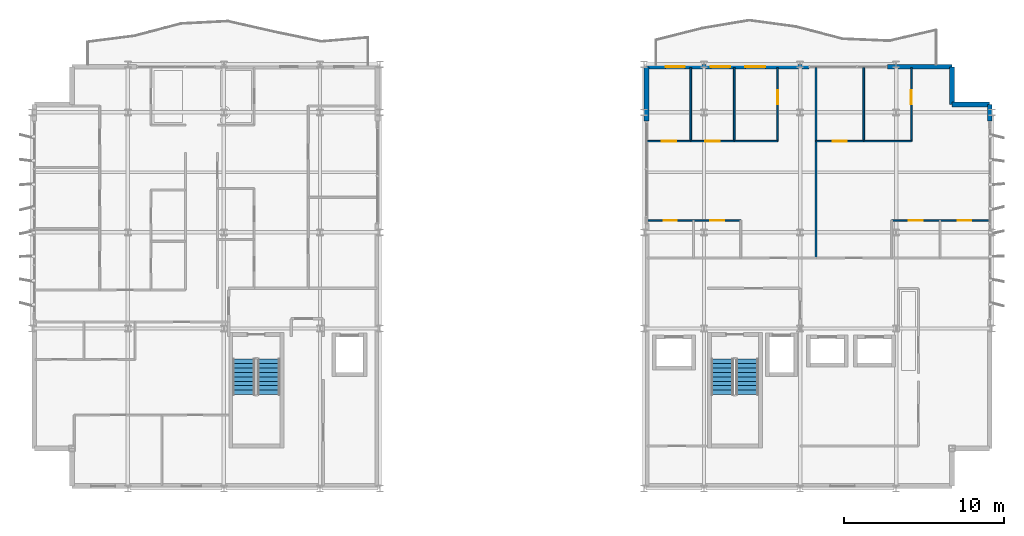
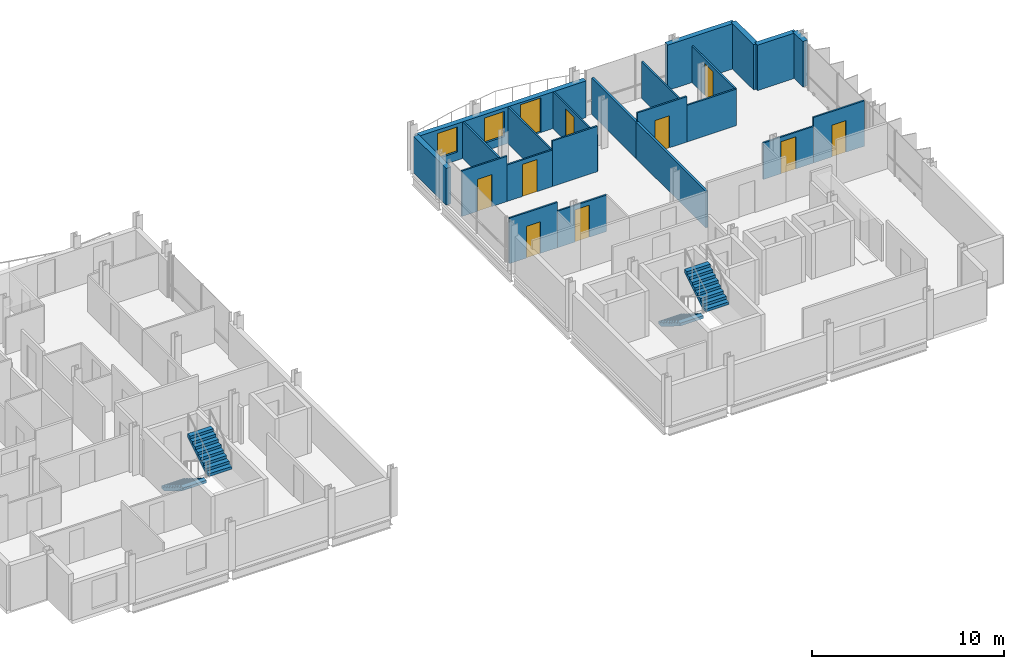
# One storey, part 24 of 28: 22 walls, 10 doors, 4 stair flights, 2 windows, 12 openings, 2 elements without a shape of their own.
"""IFC4 building model written with IfcOpenShell, lengths in metres."""

from ifc_helpers import new_model, si_unit, direction, frame, frame_2d, origin, place, context, subcontext, project, spatial, polyline, rectangle, outline, extrude, material, layer, layer_set, type_object, element, fill, aggregate, save


model = new_model("IFC4")

# Units and contexts
model_context = context("Model", 3, precision=1e-05, world=origin(), true_north=direction((0.0, 1.0)))
body_context = subcontext(model_context, "Body", "Model", "MODEL_VIEW")
ifc_project = project(units=[si_unit("LENGTHUNIT", "METRE"), si_unit("AREAUNIT", "SQUARE_METRE"), si_unit("VOLUMEUNIT", "CUBIC_METRE"), si_unit("PLANEANGLEUNIT", "RADIAN"), si_unit("MASSUNIT", "GRAM", prefix="KILO")], contexts=[model_context])

# Site, building, storey
site_placement = place(None, origin())
site = spatial("IfcSite", under=ifc_project, at=site_placement, CompositionType="ELEMENT")
building_placement = place(site_placement, origin())
building = spatial("IfcBuilding", under=site, at=building_placement, Name="Brevholm Reach", CompositionType="ELEMENT")
storey_placement = place(building_placement, frame((0.0, 0.0, 192.5)))
storey = spatial("IfcBuildingStorey", under=building, at=storey_placement, Name="L58", CompositionType="ELEMENT", Elevation=192.5)

# Walls
ifc_material_1 = material(Name="Concrete C40/50", Category="concrete")
ifc_layer_1 = layer(ifc_material_1, 0.300048828125)
ifc_layer_set_1 = layer_set([ifc_layer_1], Name="Concrete C40/50")
wall_type_1 = type_object("IfcWallType", Name="WAL-EXT-300", PredefinedType="STANDARD", material=ifc_layer_set_1)
for number, where, z_axis, x_axis, name in (
    (1, (59.85009765625, 24.0, 0.0), (0.0, 0.0, 1.0), (-1.0, 0.0, 0.0), "L58 Facade Wall WAL-L58-EW-CNE1"),
    (2, (57.5, 24.0, 0.0), (0.0, 0.0, 1.0), (0.0, 1.0, 0.0), "L58 Facade Wall WAL-L58-EW-CNE2"),
):
    element("IfcWall", number, at=place(storey_placement, frame(where, z_axis=z_axis, x_axis=x_axis)), inside=storey, type_object=wall_type_1, Name=name, PredefinedType="STANDARD", context=body_context, shape_type="SweptSolid", body=[
        extrude(rectangle(XDim=2.35009765625, YDim=0.300048828125, at=frame_2d((1.175048828125, 0.0))), origin(), (0.0, 0.0, 1.0), 2.889892578125),
    ])
wall_1_placement = place(storey_placement, frame((38.39990234375, 26.35009765625, 0.0), z_axis=(0.0, 0.0, 1.0), x_axis=(0.0, -1.0, 0.0)))
element("IfcWall", 3, at=wall_1_placement, inside=storey, type_object=wall_type_1, Name="L58 Facade Wall WAL-L58-VP-EN", PredefinedType="STANDARD", context=body_context, shape_type="SweptSolid", body=[
    extrude(rectangle(XDim=3.400146484375, YDim=0.300048828125, at=frame_2d((1.7001953125, 0.0))), origin(), (0.0, 0.0, 1.0), 2.331787109375),
])
wall_2_placement = place(storey_placement, frame((59.85009765625, 22.949951171875, 0.0), z_axis=(0.0, 0.0, 1.0), x_axis=(0.0, 1.0, 0.0)))
element("IfcWall", 4, at=wall_2_placement, inside=storey, type_object=wall_type_1, Name="L58 Facade Wall WAL-L58-EW-EN", PredefinedType="STANDARD", context=body_context, shape_type="SweptSolid", body=[
    extrude(rectangle(XDim=1.050048828125, YDim=0.300048828125, at=frame_2d((0.52490234375, 0.0))), origin(), (0.0, 0.0, 1.0), 2.889892578125),
])

# Wall, openings, door, windows
wall_3_placement = place(storey_placement, frame((38.39990234375, 26.35009765625, 0.0), z_axis=(0.0, 0.0, 1.0), x_axis=(1.0, 0.0, 0.0)))
wall_3 = element("IfcWall", 5, at=wall_3_placement, inside=storey, type_object=wall_type_1, Name="L58 Facade Wall WAL-L58-EW-NP1", PredefinedType="STANDARD", context=body_context, shape_type="SweptSolid", body=[
    extrude(rectangle(XDim=10.150146484375, YDim=0.300048828125, at=frame_2d((5.0751953125, 0.0))), origin(), (0.0, 0.0, 1.0), 2.331787109375),
])
opening_1_placement = place(wall_3_placement, frame((6.18408203125, 0.0, 0.0)))
opening_1 = element("IfcOpeningElement", 6, at=opening_1_placement, cuts=wall_3, Name="Opening BD-02", PredefinedType="OPENING", context=body_context, shape_type="SweptSolid", body=[
    extrude(rectangle(XDim=1.25, YDim=2.199951171875, at=frame_2d((0.625, 1.10009765625))), frame((0.0, 0.159912109375, 0.0), z_axis=(0.0, -1.0, 0.0), x_axis=(1.0, 0.0, 0.0)), (0.0, 0.0, 1.0), 0.320068359375),
])
opening_2_placement = place(wall_3_placement, frame((1.199951171875, 0.0, 0.511962890625)))
opening_2 = element("IfcOpeningElement", 7, at=opening_2_placement, cuts=wall_3, Name="Opening WN-08", PredefinedType="OPENING", context=body_context, shape_type="SweptSolid", body=[
    extrude(rectangle(XDim=1.199951171875, YDim=1.60009765625, at=frame_2d((0.60009765625, 0.800048828125))), frame((0.0, 0.159912109375, 0.0), z_axis=(0.0, -1.0, 0.0), x_axis=(1.0, 0.0, 0.0)), (0.0, 0.0, 1.0), 0.320068359375),
])
opening_3_placement = place(wall_3_placement, frame((4.02685546875, 0.0, 0.511962890625)))
opening_3 = element("IfcOpeningElement", 8, at=opening_3_placement, cuts=wall_3, Name="Opening WN-08", PredefinedType="OPENING", context=body_context, shape_type="SweptSolid", body=[
    extrude(rectangle(XDim=1.199951171875, YDim=1.60009765625, at=frame_2d((0.60009765625, 0.800048828125))), frame((0.0, 0.159912109375, 0.0), z_axis=(0.0, -1.0, 0.0), x_axis=(1.0, 0.0, 0.0)), (0.0, 0.0, 1.0), 0.320068359375),
])
ifc_material_2 = material(Name="Dark Anodised Aluminium and Triple-Glazed Glass", Category="aluminium")
door_type_1 = type_object("IfcDoorType", Name="DOR-BALC-1250", OperationType="NOTDEFINED", PredefinedType="DOOR", material=ifc_material_2)
door_1_placement = place(opening_1_placement, origin())
door_1 = element("IfcDoor", 9, at=door_1_placement, inside=storey, type_object=door_type_1, Name="L58 Exterior Door DOR-L58-BL-NE", OperationType="SINGLE_SWING_LEFT", OverallHeight=2.199951171875, OverallWidth=1.25, PredefinedType="DOOR", context=body_context, shape_type="SweptSolid", body=[
    extrude(rectangle(XDim=1.25, YDim=2.199951171875, at=frame_2d((0.625, 1.10009765625))), frame((0.0, 0.02490234375, 0.0), z_axis=(0.0, -1.0, 0.0), x_axis=(1.0, 0.0, 0.0)), (0.0, 0.0, 1.0), 0.050048828125),
])
fill(opening_1, door_1)
ifc_material_3 = material(Name="Dark Anodised Aluminium and Solar-Control IGU Glass", Category="aluminium")
window_type = type_object("IfcWindowType", Name="WIN-RES-1200", PartitioningType="SINGLE_PANEL", PredefinedType="WINDOW", material=ifc_material_3)
window_1_placement = place(opening_2_placement, origin())
window_1 = element("IfcWindow", 10, at=window_1_placement, inside=storey, type_object=window_type, Name="L58 Window WIN-L58-EW-NP1", OverallHeight=1.60009765625, OverallWidth=1.199951171875, PartitioningType="SINGLE_PANEL", PredefinedType="WINDOW", context=body_context, shape_type="SweptSolid", body=[
    extrude(rectangle(XDim=1.199951171875, YDim=1.60009765625, at=frame_2d((0.60009765625, 0.800048828125))), frame((0.0, 0.030029296875, 0.0), z_axis=(0.0, -1.0, 0.0), x_axis=(1.0, 0.0, 0.0)), (0.0, 0.0, 1.0), 0.06005859375),
])
fill(opening_2, window_1)
window_2_placement = place(opening_3_placement, origin())
window_2 = element("IfcWindow", 11, at=window_2_placement, inside=storey, type_object=window_type, Name="L58 Bedroom Window 059", OverallHeight=1.60009765625, OverallWidth=1.199951171875, PartitioningType="SINGLE_PANEL", PredefinedType="WINDOW", context=body_context, shape_type="SweptSolid", body=[
    extrude(rectangle(XDim=1.199951171875, YDim=1.60009765625, at=frame_2d((0.60009765625, 0.800048828125))), frame((0.0, 0.030029296875, 0.0), z_axis=(0.0, -1.0, 0.0), x_axis=(1.0, 0.0, 0.0)), (0.0, 0.0, 1.0), 0.06005859375),
])
fill(opening_3, window_2)

# Wall
wall_4_placement = place(storey_placement, frame((53.449951171875, 26.35009765625, 0.0), z_axis=(0.0, 0.0, 1.0), x_axis=(1.0, 0.0, 0.0)))
element("IfcWall", 12, at=wall_4_placement, inside=storey, type_object=wall_type_1, Name="L58 Facade Wall WAL-L58-EW-NP2", PredefinedType="STANDARD", context=body_context, shape_type="SweptSolid", body=[
    extrude(rectangle(XDim=4.050048828125, YDim=0.300048828125, at=frame_2d((2.02490234375, 0.0))), origin(), (0.0, 0.0, 1.0), 2.889892578125),
])

# Wall, opening, door
ifc_material_4 = material(Name="Moisture-Resistant Acoustic Gypsum Stud Partition 100 mm", Category="gypsum")
ifc_layer_2 = layer(ifc_material_4, 0.10009765625)
ifc_layer_set_2 = layer_set([ifc_layer_2], Name="Moisture-Resistant Acoustic Gypsum Stud Partition 100 mm")
wall_type_2 = type_object("IfcWallType", Name="WAL-PRT-100", PredefinedType="PARTITIONING", material=ifc_layer_set_2)
wall_5_placement = place(storey_placement, frame((38.449951171875, 16.75, 0.0), z_axis=(0.0, 0.0, 1.0), x_axis=(1.0, 0.0, 0.0)))
wall_5 = element("IfcWall", 13, at=wall_5_placement, inside=storey, type_object=wall_type_2, Name="L58 Internal Partition 067", PredefinedType="PARTITIONING", context=body_context, shape_type="SweptSolid", body=[
    extrude(rectangle(XDim=2.887939453125, YDim=0.10009765625, at=frame_2d((1.44384765625, 0.0))), origin(), (0.0, 0.0, 1.0), 2.889892578125),
])
opening_4_placement = place(wall_5_placement, frame((1.033935546875, 0.0, 0.0)))
opening_4 = element("IfcOpeningElement", 14, at=opening_4_placement, cuts=wall_5, Name="Opening ID-03", PredefinedType="OPENING", context=body_context, shape_type="SweptSolid", body=[
    extrude(rectangle(XDim=0.820068359375, YDim=2.02001953125, at=frame_2d((0.41015625, 1.010009765625))), frame((0.0, 0.06005859375, 0.0), z_axis=(0.0, -1.0, 0.0), x_axis=(1.0, 0.0, 0.0)), (0.0, 0.0, 1.0), 0.1201171875),
])
ifc_material_5 = material(Name="Moisture-Resistant Painted Timber Internal Bathroom Door", Category="wood")
door_type_2 = type_object("IfcDoorType", Name="DOR-BATH-820", OperationType="NOTDEFINED", PredefinedType="DOOR", material=ifc_material_5)
door_2_placement = place(opening_4_placement, origin())
door_2 = element("IfcDoor", 15, at=door_2_placement, inside=storey, type_object=door_type_2, Name="L58 Internal Door 029", OperationType="SINGLE_SWING_RIGHT", OverallHeight=2.02001953125, OverallWidth=0.820068359375, PredefinedType="DOOR", context=body_context, shape_type="SweptSolid", body=[
    extrude(rectangle(XDim=0.820068359375, YDim=2.02001953125, at=frame_2d((0.41015625, 1.010009765625))), frame((0.0, 0.02490234375, 0.0), z_axis=(0.0, -1.0, 0.0), x_axis=(1.0, 0.0, 0.0)), (0.0, 0.0, 1.0), 0.050048828125),
])
fill(opening_4, door_2)

wall_6_placement = place(storey_placement, frame((41.342041015625, 16.75, 0.0), z_axis=(0.0, 0.0, 1.0), x_axis=(1.0, 0.0, 0.0)))
wall_6 = element("IfcWall", 16, at=wall_6_placement, inside=storey, type_object=wall_type_2, Name="L58 Internal Partition 069", PredefinedType="PARTITIONING", context=body_context, shape_type="SweptSolid", body=[
    extrude(rectangle(XDim=2.949951171875, YDim=0.10009765625, at=frame_2d((1.47509765625, 0.0))), origin(), (0.0, 0.0, 1.0), 2.325439453125),
])
opening_5_placement = place(wall_6_placement, frame((1.034912109375, 0.0, 0.0)))
opening_5 = element("IfcOpeningElement", 17, at=opening_5_placement, cuts=wall_6, Name="Opening ID-01", PredefinedType="OPENING", context=body_context, shape_type="SweptSolid", body=[
    extrude(rectangle(XDim=0.8798828125, YDim=2.0400390625, at=frame_2d((0.43994140625, 1.02001953125))), frame((0.0, 0.06005859375, 0.0), z_axis=(0.0, -1.0, 0.0), x_axis=(1.0, 0.0, 0.0)), (0.0, 0.0, 1.0), 0.1201171875),
])
ifc_material_6 = material(Name="Lacquered Ash Solid-Core Acoustic Internal Door", Category="timber")
door_type_3 = type_object("IfcDoorType", Name="DOR-INT-880", OperationType="NOTDEFINED", PredefinedType="DOOR", material=ifc_material_6)
door_3_placement = place(opening_5_placement, origin())
door_3 = element("IfcDoor", 18, at=door_3_placement, inside=storey, type_object=door_type_3, Name="L58 Internal Door 030", OperationType="SINGLE_SWING_LEFT", OverallHeight=2.0400390625, OverallWidth=0.8798828125, PredefinedType="DOOR", context=body_context, shape_type="SweptSolid", body=[
    extrude(rectangle(XDim=0.8798828125, YDim=2.0400390625, at=frame_2d((0.43994140625, 1.02001953125))), frame((0.0, 0.02490234375, 0.0), z_axis=(0.0, -1.0, 0.0), x_axis=(1.0, 0.0, 0.0)), (0.0, 0.0, 1.0), 0.050048828125),
])
fill(opening_5, door_3)

# Wall
wall_7_placement = place(storey_placement, frame((41.1669921875, 21.699951171875, 0.0), z_axis=(0.0, 0.0, 1.0), x_axis=(0.0, 1.0, 0.0)))
element("IfcWall", 19, at=wall_7_placement, inside=storey, type_object=wall_type_2, Name="L58 Internal Partition 070", PredefinedType="PARTITIONING", context=body_context, shape_type="SweptSolid", body=[
    extrude(rectangle(XDim=4.60009765625, YDim=0.10009765625, at=frame_2d((2.300048828125, 0.0))), origin(), (0.0, 0.0, 1.0), 2.325439453125),
])

# Wall, opening, door
wall_8_placement = place(storey_placement, frame((38.449951171875, 21.699951171875, 0.0), z_axis=(0.0, 0.0, 1.0), x_axis=(1.0, 0.0, 0.0)))
wall_8 = element("IfcWall", 20, at=wall_8_placement, inside=storey, type_object=wall_type_2, Name="L58 Internal Partition 071", PredefinedType="PARTITIONING", context=body_context, shape_type="SweptSolid", body=[
    extrude(rectangle(XDim=2.717041015625, YDim=0.10009765625, at=frame_2d((1.3583984375, 0.0))), origin(), (0.0, 0.0, 1.0), 2.889892578125),
])
opening_6_placement = place(wall_8_placement, frame((0.91845703125, 0.0, 0.0)))
opening_6 = element("IfcOpeningElement", 21, at=opening_6_placement, cuts=wall_8, Name="Opening ID-01", PredefinedType="OPENING", context=body_context, shape_type="SweptSolid", body=[
    extrude(rectangle(XDim=0.8798828125, YDim=2.0400390625, at=frame_2d((0.43994140625, 1.02001953125))), frame((0.0, 0.06005859375, 0.0), z_axis=(0.0, -1.0, 0.0), x_axis=(1.0, 0.0, 0.0)), (0.0, 0.0, 1.0), 0.1201171875),
])
door_4_placement = place(opening_6_placement, origin())
door_4 = element("IfcDoor", 22, at=door_4_placement, inside=storey, type_object=door_type_3, Name="L58 Internal Door 031", OperationType="SINGLE_SWING_RIGHT", OverallHeight=2.0400390625, OverallWidth=0.8798828125, PredefinedType="DOOR", context=body_context, shape_type="SweptSolid", body=[
    extrude(rectangle(XDim=0.8798828125, YDim=2.0400390625, at=frame_2d((0.43994140625, 1.02001953125))), frame((0.0, 0.02490234375, 0.0), z_axis=(0.0, -1.0, 0.0), x_axis=(1.0, 0.0, 0.0)), (0.0, 0.0, 1.0), 0.050048828125),
])
fill(opening_6, door_4)

# Wall
wall_9_placement = place(storey_placement, frame((43.884033203125, 21.699951171875, 0.0), z_axis=(0.0, 0.0, 1.0), x_axis=(0.0, 1.0, 0.0)))
element("IfcWall", 23, at=wall_9_placement, inside=storey, type_object=wall_type_2, Name="L58 Internal Partition 072", PredefinedType="PARTITIONING", context=body_context, shape_type="SweptSolid", body=[
    extrude(rectangle(XDim=4.60009765625, YDim=0.10009765625, at=frame_2d((2.300048828125, 0.0))), origin(), (0.0, 0.0, 1.0), 2.325439453125),
])

# Wall, opening, door
wall_10_placement = place(storey_placement, frame((41.1708984375, 21.699951171875, 0.0), z_axis=(0.0, 0.0, 1.0), x_axis=(1.0, 0.0, 0.0)))
wall_10 = element("IfcWall", 24, at=wall_10_placement, inside=storey, type_object=wall_type_2, Name="L58 Internal Partition 073", PredefinedType="PARTITIONING", context=body_context, shape_type="SweptSolid", body=[
    extrude(rectangle(XDim=2.713134765625, YDim=0.10009765625, at=frame_2d((1.3564453125, 0.0))), origin(), (0.0, 0.0, 1.0), 2.325439453125),
])
opening_7_placement = place(wall_10_placement, frame((0.91650390625, 0.0, 0.0)))
opening_7 = element("IfcOpeningElement", 25, at=opening_7_placement, cuts=wall_10, Name="Opening ID-01", PredefinedType="OPENING", context=body_context, shape_type="SweptSolid", body=[
    extrude(rectangle(XDim=0.8798828125, YDim=2.0400390625, at=frame_2d((0.43994140625, 1.02001953125))), frame((0.0, 0.06005859375, 0.0), z_axis=(0.0, -1.0, 0.0), x_axis=(1.0, 0.0, 0.0)), (0.0, 0.0, 1.0), 0.1201171875),
])
door_5_placement = place(opening_7_placement, origin())
door_5 = element("IfcDoor", 26, at=door_5_placement, inside=storey, type_object=door_type_3, Name="L58 Internal Door 032", OperationType="SINGLE_SWING_LEFT", OverallHeight=2.0400390625, OverallWidth=0.8798828125, PredefinedType="DOOR", context=body_context, shape_type="SweptSolid", body=[
    extrude(rectangle(XDim=0.8798828125, YDim=2.0400390625, at=frame_2d((0.43994140625, 1.02001953125))), frame((0.0, 0.02490234375, 0.0), z_axis=(0.0, -1.0, 0.0), x_axis=(1.0, 0.0, 0.0)), (0.0, 0.0, 1.0), 0.050048828125),
])
fill(opening_7, door_5)

# Wall
wall_11_placement = place(storey_placement, frame((43.887939453125, 21.699951171875, 0.0), z_axis=(0.0, 0.0, 1.0), x_axis=(1.0, 0.0, 0.0)))
element("IfcWall", 27, at=wall_11_placement, inside=storey, type_object=wall_type_2, Name="L58 Internal Partition 074", PredefinedType="PARTITIONING", context=body_context, shape_type="SweptSolid", body=[
    extrude(rectangle(XDim=2.713134765625, YDim=0.10009765625, at=frame_2d((1.3564453125, 0.0))), origin(), (0.0, 0.0, 1.0), 2.889892578125),
])

# Wall, opening, door
wall_12_placement = place(storey_placement, frame((46.60107421875, 21.699951171875, 0.0), z_axis=(0.0, 0.0, 1.0), x_axis=(0.0, 1.0, 0.0)))
wall_12 = element("IfcWall", 28, at=wall_12_placement, inside=storey, type_object=wall_type_2, Name="L58 Internal Partition 075", PredefinedType="PARTITIONING", context=body_context, shape_type="SweptSolid", body=[
    extrude(rectangle(XDim=4.60009765625, YDim=0.10009765625, at=frame_2d((2.300048828125, 0.0))), origin(), (0.0, 0.0, 1.0), 2.325439453125),
])
opening_8_placement = place(wall_12_placement, frame((2.300048828125, 0.0, 0.0)))
opening_8 = element("IfcOpeningElement", 29, at=opening_8_placement, cuts=wall_12, Name="Opening ID-01", PredefinedType="OPENING", context=body_context, shape_type="SweptSolid", body=[
    extrude(rectangle(XDim=0.8798828125, YDim=2.0400390625, at=frame_2d((0.43994140625, 1.02001953125))), frame((0.0, 0.06005859375, 0.0), z_axis=(0.0, -1.0, 0.0), x_axis=(1.0, 0.0, 0.0)), (0.0, 0.0, 1.0), 0.1201171875),
])
door_6_placement = place(opening_8_placement, origin())
door_6 = element("IfcDoor", 30, at=door_6_placement, inside=storey, type_object=door_type_3, Name="L58 Internal Door 033", OperationType="SINGLE_SWING_RIGHT", OverallHeight=2.0400390625, OverallWidth=0.8798828125, PredefinedType="DOOR", context=body_context, shape_type="SweptSolid", body=[
    extrude(rectangle(XDim=0.8798828125, YDim=2.0400390625, at=frame_2d((0.43994140625, 1.02001953125))), frame((0.0, 0.02490234375, 0.0), z_axis=(0.0, -1.0, 0.0), x_axis=(1.0, 0.0, 0.0)), (0.0, 0.0, 1.0), 0.050048828125),
])
fill(opening_8, door_6)

wall_13_placement = place(storey_placement, frame((56.75, 16.75, 0.0), z_axis=(0.0, 0.0, 1.0), x_axis=(1.0, 0.0, 0.0)))
wall_13 = element("IfcWall", 31, at=wall_13_placement, inside=storey, type_object=wall_type_2, Name="L58 Internal Partition 079", PredefinedType="PARTITIONING", context=body_context, shape_type="SweptSolid", body=[
    extrude(rectangle(XDim=3.050048828125, YDim=0.10009765625, at=frame_2d((1.52490234375, 0.0))), origin(), (0.0, 0.0, 1.0), 2.889892578125),
])
opening_9_placement = place(wall_13_placement, frame((1.114990234375, 0.0, 0.0)))
opening_9 = element("IfcOpeningElement", 32, at=opening_9_placement, cuts=wall_13, Name="Opening ID-03", PredefinedType="OPENING", context=body_context, shape_type="SweptSolid", body=[
    extrude(rectangle(XDim=0.820068359375, YDim=2.02001953125, at=frame_2d((0.41015625, 1.010009765625))), frame((0.0, 0.06005859375, 0.0), z_axis=(0.0, -1.0, 0.0), x_axis=(1.0, 0.0, 0.0)), (0.0, 0.0, 1.0), 0.1201171875),
])
door_7_placement = place(opening_9_placement, origin())
door_7 = element("IfcDoor", 33, at=door_7_placement, inside=storey, type_object=door_type_2, Name="L58 Internal Door 034", OperationType="SINGLE_SWING_LEFT", OverallHeight=2.02001953125, OverallWidth=0.820068359375, PredefinedType="DOOR", context=body_context, shape_type="SweptSolid", body=[
    extrude(rectangle(XDim=0.820068359375, YDim=2.02001953125, at=frame_2d((0.41015625, 1.010009765625))), frame((0.0, 0.02490234375, 0.0), z_axis=(0.0, -1.0, 0.0), x_axis=(1.0, 0.0, 0.0)), (0.0, 0.0, 1.0), 0.050048828125),
])
fill(opening_9, door_7)

wall_14_placement = place(storey_placement, frame((53.72607421875, 16.75, 0.0), z_axis=(0.0, 0.0, 1.0), x_axis=(1.0, 0.0, 0.0)))
wall_14 = element("IfcWall", 34, at=wall_14_placement, inside=storey, type_object=wall_type_2, Name="L58 Internal Partition 080", PredefinedType="PARTITIONING", context=body_context, shape_type="SweptSolid", body=[
    extrude(rectangle(XDim=3.02001953125, YDim=0.10009765625, at=frame_2d((1.510009765625, 0.0))), origin(), (0.0, 0.0, 1.0), 2.325439453125),
])
opening_10_placement = place(wall_14_placement, frame((1.070068359375, 0.0, 0.0)))
opening_10 = element("IfcOpeningElement", 35, at=opening_10_placement, cuts=wall_14, Name="Opening ID-01", PredefinedType="OPENING", context=body_context, shape_type="SweptSolid", body=[
    extrude(rectangle(XDim=0.8798828125, YDim=2.0400390625, at=frame_2d((0.43994140625, 1.02001953125))), frame((0.0, 0.06005859375, 0.0), z_axis=(0.0, -1.0, 0.0), x_axis=(1.0, 0.0, 0.0)), (0.0, 0.0, 1.0), 0.1201171875),
])
door_8_placement = place(opening_10_placement, origin())
door_8 = element("IfcDoor", 36, at=door_8_placement, inside=storey, type_object=door_type_3, Name="L58 Internal Door 035", OperationType="SINGLE_SWING_RIGHT", OverallHeight=2.0400390625, OverallWidth=0.8798828125, PredefinedType="DOOR", context=body_context, shape_type="SweptSolid", body=[
    extrude(rectangle(XDim=0.8798828125, YDim=2.0400390625, at=frame_2d((0.43994140625, 1.02001953125))), frame((0.0, 0.02490234375, 0.0), z_axis=(0.0, -1.0, 0.0), x_axis=(1.0, 0.0, 0.0)), (0.0, 0.0, 1.0), 0.050048828125),
])
fill(opening_10, door_8)

# Wall
wall_15_placement = place(storey_placement, frame((51.97509765625, 21.699951171875, 0.0), z_axis=(0.0, 0.0, 1.0), x_axis=(0.0, 1.0, 0.0)))
element("IfcWall", 37, at=wall_15_placement, inside=storey, type_object=wall_type_2, Name="L58 Internal Partition 082", PredefinedType="PARTITIONING", context=body_context, shape_type="SweptSolid", body=[
    extrude(rectangle(XDim=4.60009765625, YDim=0.10009765625, at=frame_2d((2.300048828125, 0.0))), origin(), (0.0, 0.0, 1.0), 2.325439453125),
])

# Wall, opening, door
wall_16_placement = place(storey_placement, frame((49.00390625, 21.699951171875, 0.0), z_axis=(0.0, 0.0, 1.0), x_axis=(1.0, 0.0, 0.0)))
wall_16 = element("IfcWall", 38, at=wall_16_placement, inside=storey, type_object=wall_type_2, Name="L58 Internal Partition 083", PredefinedType="PARTITIONING", context=body_context, shape_type="SweptSolid", body=[
    extrude(rectangle(XDim=2.97119140625, YDim=0.10009765625, at=frame_2d((1.485595703125, 0.0))), origin(), (0.0, 0.0, 1.0), 2.889892578125),
])
opening_11_placement = place(wall_16_placement, frame((1.04541015625, 0.0, 0.0)))
opening_11 = element("IfcOpeningElement", 39, at=opening_11_placement, cuts=wall_16, Name="Opening ID-01", PredefinedType="OPENING", context=body_context, shape_type="SweptSolid", body=[
    extrude(rectangle(XDim=0.8798828125, YDim=2.0400390625, at=frame_2d((0.43994140625, 1.02001953125))), frame((0.0, 0.06005859375, 0.0), z_axis=(0.0, -1.0, 0.0), x_axis=(1.0, 0.0, 0.0)), (0.0, 0.0, 1.0), 0.1201171875),
])
door_9_placement = place(opening_11_placement, origin())
door_9 = element("IfcDoor", 40, at=door_9_placement, inside=storey, type_object=door_type_3, Name="L58 Internal Door 036", OperationType="SINGLE_SWING_LEFT", OverallHeight=2.0400390625, OverallWidth=0.8798828125, PredefinedType="DOOR", context=body_context, shape_type="SweptSolid", body=[
    extrude(rectangle(XDim=0.8798828125, YDim=2.0400390625, at=frame_2d((0.43994140625, 1.02001953125))), frame((0.0, 0.02490234375, 0.0), z_axis=(0.0, -1.0, 0.0), x_axis=(1.0, 0.0, 0.0)), (0.0, 0.0, 1.0), 0.050048828125),
])
fill(opening_11, door_9)

# Wall
wall_17_placement = place(storey_placement, frame((51.97900390625, 21.699951171875, 0.0), z_axis=(0.0, 0.0, 1.0), x_axis=(1.0, 0.0, 0.0)))
element("IfcWall", 41, at=wall_17_placement, inside=storey, type_object=wall_type_2, Name="L58 Internal Partition 084", PredefinedType="PARTITIONING", context=body_context, shape_type="SweptSolid", body=[
    extrude(rectangle(XDim=2.970947265625, YDim=0.10009765625, at=frame_2d((1.4853515625, 0.0))), origin(), (0.0, 0.0, 1.0), 2.325439453125),
])

# Wall, opening, door
wall_18_placement = place(storey_placement, frame((54.949951171875, 21.699951171875, 0.0), z_axis=(0.0, 0.0, 1.0), x_axis=(0.0, 1.0, 0.0)))
wall_18 = element("IfcWall", 42, at=wall_18_placement, inside=storey, type_object=wall_type_2, Name="L58 Internal Partition 085", PredefinedType="PARTITIONING", context=body_context, shape_type="SweptSolid", body=[
    extrude(rectangle(XDim=4.60009765625, YDim=0.10009765625, at=frame_2d((2.300048828125, 0.0))), origin(), (0.0, 0.0, 1.0), 2.325439453125),
])
opening_12_placement = place(wall_18_placement, frame((2.300048828125, 0.0, 0.0)))
opening_12 = element("IfcOpeningElement", 43, at=opening_12_placement, cuts=wall_18, Name="Opening ID-01", PredefinedType="OPENING", context=body_context, shape_type="SweptSolid", body=[
    extrude(rectangle(XDim=0.8798828125, YDim=2.0400390625, at=frame_2d((0.43994140625, 1.02001953125))), frame((0.0, 0.06005859375, 0.0), z_axis=(0.0, -1.0, 0.0), x_axis=(1.0, 0.0, 0.0)), (0.0, 0.0, 1.0), 0.1201171875),
])
door_10_placement = place(opening_12_placement, origin())
door_10 = element("IfcDoor", 44, at=door_10_placement, inside=storey, type_object=door_type_3, Name="L58 Internal Door 037", OperationType="SINGLE_SWING_RIGHT", OverallHeight=2.0400390625, OverallWidth=0.8798828125, PredefinedType="DOOR", context=body_context, shape_type="SweptSolid", body=[
    extrude(rectangle(XDim=0.8798828125, YDim=2.0400390625, at=frame_2d((0.43994140625, 1.02001953125))), frame((0.0, 0.02490234375, 0.0), z_axis=(0.0, -1.0, 0.0), x_axis=(1.0, 0.0, 0.0)), (0.0, 0.0, 1.0), 0.050048828125),
])
fill(opening_12, door_10)

# Walls
ifc_material_7 = material(Name="Twin-Stud Acoustic Fire-Rated Gypsum Partition 140 mm", Category="gypsum")
ifc_layer_3 = layer(ifc_material_7, 0.139892578125)
ifc_layer_set_3 = layer_set([ifc_layer_3], Name="Twin-Stud Acoustic Fire-Rated Gypsum Partition 140 mm")
wall_type_3 = type_object("IfcWallType", Name="WAL-PRT-140", PredefinedType="PARTITIONING", material=ifc_layer_set_3)
wall_19_placement = place(storey_placement, frame((49.0, 21.688720703125, 0.0), z_axis=(0.0, 0.0, 1.0), x_axis=(0.0, 1.0, 0.0)))
element("IfcWall", 45, at=wall_19_placement, inside=storey, type_object=wall_type_3, Name="L58 Internal Partition 076", PredefinedType="PARTITIONING", context=body_context, shape_type="SweptSolid", body=[
    extrude(rectangle(XDim=4.611328125, YDim=0.139892578125, at=frame_2d((2.3056640625, 0.0))), origin(), (0.0, 0.0, 1.0), 2.325439453125),
])
wall_20_placement = place(storey_placement, frame((49.0, 14.404052734375, 0.0), z_axis=(0.0, 0.0, 1.0), x_axis=(0.0, 1.0, 0.0)))
element("IfcWall", 46, at=wall_20_placement, inside=storey, type_object=wall_type_3, Name="L58 Internal Partition 077", PredefinedType="PARTITIONING", context=body_context, shape_type="SweptSolid", body=[
    extrude(rectangle(XDim=7.30322265625, YDim=0.139892578125, at=frame_2d((3.651611328125, 0.0))), origin(), (0.0, 0.0, 1.0), 2.325439453125),
])

# Stair, stair flights
ifc_material_8 = material(Name="Precast Concrete C40/50", Category="concrete")
stair_type = type_object("IfcStairType", Name="STR-ESC-1400", PredefinedType="DOUBLE_RETURN_STAIR", material=ifc_material_8)
stair_1_placement = place(storey_placement, origin())
stair_1 = element("IfcStair", 47, at=stair_1_placement, inside=storey, type_object=stair_type, Name="L58 ST-1", PredefinedType="DOUBLE_RETURN_STAIR")
ifc_material_9 = material(Name="Precast Concrete C40/50", Category="concrete")
ifc_layer_4 = layer(ifc_material_9, 0.18505859375)
ifc_layer_set_4 = layer_set([ifc_layer_4], Name="Precast Concrete C40/50")
stair_flight_type = type_object("IfcStairFlightType", Name="STF-PRC-185", PredefinedType="STRAIGHT", material=ifc_layer_set_4)
stair_flight_1_placement = place(storey_placement, frame((13.25, 8.10009765625, 0.0), z_axis=(0.0, 0.0, 1.0), x_axis=(0.0, -1.0, 0.0)))
stair_flight_1 = element("IfcStairFlight", 48, at=stair_flight_1_placement, type_object=stair_flight_type, Name="ST-1 flight 1", NumberOfRisers=9, NumberOfTreads=8, PredefinedType="STRAIGHT", RiserHeight=0.172222222, TreadLength=0.28, context=body_context, shape_type="SweptSolid", body=[
    extrude(outline(polyline([(0.0, 0.0), (0.0, 0.172119140625), (0.280029296875, 0.172119140625), (0.280029296875, 0.344482421875), (0.56005859375, 0.344482421875), (0.56005859375, 0.5166015625), (0.840087890625, 0.5166015625), (0.840087890625, 0.68896484375), (1.1201171875, 0.68896484375), (1.1201171875, 0.861083984375), (1.39990234375, 0.861083984375), (1.39990234375, 1.033447265625), (1.679931640625, 1.033447265625), (1.679931640625, 1.20556640625), (1.9599609375, 1.20556640625), (1.9599609375, 1.377685546875), (2.239990234375, 1.377685546875), (2.239990234375, 1.550048828125), (2.239990234375, 1.201904296875), (0.2861328125, 0.0), (0.0, 0.0)])), frame((0.0, 0.699951171875, 0.0), z_axis=(0.0, -1.0, 0.0), x_axis=(1.0, 0.0, 0.0)), (0.0, 0.0, 1.0), 1.39990234375),
])
stair_flight_2_placement = place(storey_placement, frame((14.800048828125, 5.860107421875, 1.550048828125), z_axis=(0.0, 0.0, 1.0), x_axis=(0.0, 1.0, 0.0)))
stair_flight_2 = element("IfcStairFlight", 49, at=stair_flight_2_placement, type_object=stair_flight_type, Name="ST-1 flight 2", NumberOfRisers=9, NumberOfTreads=8, PredefinedType="STRAIGHT", RiserHeight=0.172222222, TreadLength=0.28, context=body_context, shape_type="SweptSolid", body=[
    extrude(outline(polyline([(0.0, 0.0), (0.0, 0.172119140625), (0.280029296875, 0.172119140625), (0.280029296875, 0.344482421875), (0.56005859375, 0.344482421875), (0.56005859375, 0.5166015625), (0.840087890625, 0.5166015625), (0.840087890625, 0.68896484375), (1.1201171875, 0.68896484375), (1.1201171875, 0.861083984375), (1.39990234375, 0.861083984375), (1.39990234375, 1.033447265625), (1.679931640625, 1.033447265625), (1.679931640625, 1.20556640625), (1.9599609375, 1.20556640625), (1.9599609375, 1.377685546875), (2.239990234375, 1.377685546875), (2.239990234375, 1.550048828125), (2.239990234375, 1.201904296875), (0.2861328125, 0.0), (0.0, 0.0)])), frame((0.0, 0.699951171875, 0.0), z_axis=(0.0, -1.0, 0.0), x_axis=(1.0, 0.0, 0.0)), (0.0, 0.0, 1.0), 1.39990234375),
])
aggregate(stair_1, [stair_flight_1, stair_flight_2])

stair_2_placement = place(storey_placement, origin())
stair_2 = element("IfcStair", 50, at=stair_2_placement, inside=storey, type_object=stair_type, Name="L58 ST-2", PredefinedType="DOUBLE_RETURN_STAIR")
stair_flight_3_placement = place(storey_placement, frame((43.14990234375, 8.10009765625, 0.0), z_axis=(0.0, 0.0, 1.0), x_axis=(0.0, -1.0, 0.0)))
stair_flight_3 = element("IfcStairFlight", 51, at=stair_flight_3_placement, type_object=stair_flight_type, Name="ST-2 flight 1", NumberOfRisers=9, NumberOfTreads=8, PredefinedType="STRAIGHT", RiserHeight=0.172222222, TreadLength=0.28, context=body_context, shape_type="SweptSolid", body=[
    extrude(outline(polyline([(0.0, 0.0), (0.0, 0.172119140625), (0.280029296875, 0.172119140625), (0.280029296875, 0.344482421875), (0.56005859375, 0.344482421875), (0.56005859375, 0.5166015625), (0.840087890625, 0.5166015625), (0.840087890625, 0.68896484375), (1.1201171875, 0.68896484375), (1.1201171875, 0.861083984375), (1.39990234375, 0.861083984375), (1.39990234375, 1.033447265625), (1.679931640625, 1.033447265625), (1.679931640625, 1.20556640625), (1.9599609375, 1.20556640625), (1.9599609375, 1.377685546875), (2.239990234375, 1.377685546875), (2.239990234375, 1.550048828125), (2.239990234375, 1.201904296875), (0.2861328125, 0.0), (0.0, 0.0)])), frame((0.0, 0.699951171875, 0.0), z_axis=(0.0, -1.0, 0.0), x_axis=(1.0, 0.0, 0.0)), (0.0, 0.0, 1.0), 1.39990234375),
])
stair_flight_4_placement = place(storey_placement, frame((44.699951171875, 5.860107421875, 1.550048828125), z_axis=(0.0, 0.0, 1.0), x_axis=(0.0, 1.0, 0.0)))
stair_flight_4 = element("IfcStairFlight", 52, at=stair_flight_4_placement, type_object=stair_flight_type, Name="ST-2 flight 2", NumberOfRisers=9, NumberOfTreads=8, PredefinedType="STRAIGHT", RiserHeight=0.172222222, TreadLength=0.28, context=body_context, shape_type="SweptSolid", body=[
    extrude(outline(polyline([(0.0, 0.0), (0.0, 0.172119140625), (0.280029296875, 0.172119140625), (0.280029296875, 0.344482421875), (0.56005859375, 0.344482421875), (0.56005859375, 0.5166015625), (0.840087890625, 0.5166015625), (0.840087890625, 0.68896484375), (1.1201171875, 0.68896484375), (1.1201171875, 0.861083984375), (1.39990234375, 0.861083984375), (1.39990234375, 1.033447265625), (1.679931640625, 1.033447265625), (1.679931640625, 1.20556640625), (1.9599609375, 1.20556640625), (1.9599609375, 1.377685546875), (2.239990234375, 1.377685546875), (2.239990234375, 1.550048828125), (2.239990234375, 1.201904296875), (0.2861328125, 0.0), (0.0, 0.0)])), frame((0.0, 0.699951171875, 0.0), z_axis=(0.0, -1.0, 0.0), x_axis=(1.0, 0.0, 0.0)), (0.0, 0.0, 1.0), 1.39990234375),
])
aggregate(stair_2, [stair_flight_3, stair_flight_4])

save(model, "model.ifc")
